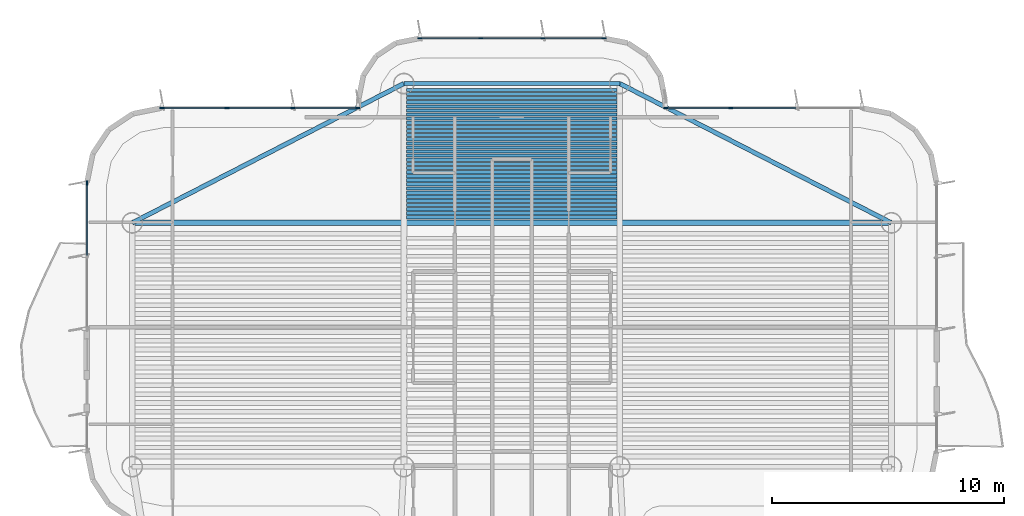
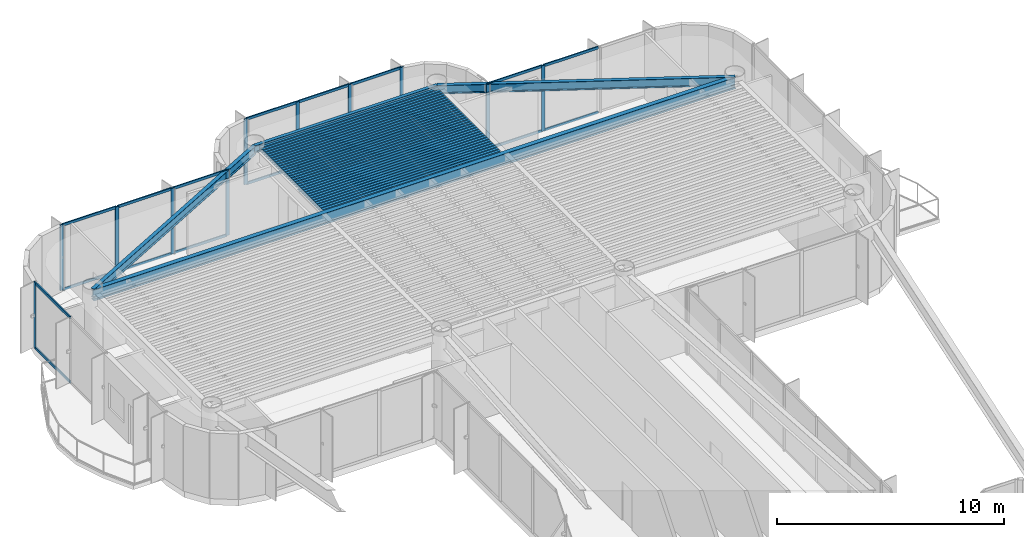
# One storey, part 7 of 16: 36 beams, 29 members, 4 elements without a shape of their own.
"""IFC4 building model written with IfcOpenShell, lengths in metres."""

from ifc_helpers import new_model, si_unit, direction, frame, origin, origin_2d, place, context, subcontext, project, spatial, rectangle, i_section, extrude, source, transform, mapped, material, layer, layer_set, material_profile, profile_set, type_object, element, aggregate, save


model = new_model("IFC4")

# Units and contexts
model_context = context("Model", 3, precision=1e-05, world=origin(), true_north=direction((0.0, 1.0)))
body_context = subcontext(model_context, "Body", "Model", "MODEL_VIEW")
ifc_project = project(units=[si_unit("LENGTHUNIT", "METRE"), si_unit("AREAUNIT", "SQUARE_METRE"), si_unit("VOLUMEUNIT", "CUBIC_METRE"), si_unit("PLANEANGLEUNIT", "RADIAN"), si_unit("MASSUNIT", "GRAM", prefix="KILO")], contexts=[model_context])

# Site, building, storey
site_placement = place(None, origin())
site = spatial("IfcSite", under=ifc_project, at=site_placement, CompositionType="ELEMENT")
building_placement = place(site_placement, origin())
building = spatial("IfcBuilding", under=site, at=building_placement, Name="Brelvock Crest Care Tower", CompositionType="ELEMENT")
storey_placement = place(building_placement, frame((0.0, 0.0, 223.02001953125)))
storey = spatial("IfcBuildingStorey", under=building, at=storey_placement, Name="L56", CompositionType="ELEMENT", Elevation=223.02001953125)

# Beams
ifc_material_1 = material(Name="Steel Grade 350", Category="steel")
ifc_material_profile_1 = material_profile(ifc_material_1, i_section(OverallWidth=0.177978515625, OverallDepth=0.406005859375, WebThickness=0.0078125, FlangeThickness=0.0126953125, FilletRadius=0.011474609375, at=origin_2d()), Name="410UB59.7")
ifc_profile_set_1 = profile_set([ifc_material_profile_1], Name="Steel Grade 350")
beam_type_1 = type_object("IfcBeamType", Name="BM-SP1", PredefinedType="SPANDREL", material=ifc_profile_set_1)
shared_shape_1 = source(origin(), body_context, "Body", "SweptSolid", [
    extrude(i_section(OverallWidth=0.177978515625, OverallDepth=0.406005859375, WebThickness=0.0078125, FlangeThickness=0.0126953125, FilletRadius=0.011474609375, at=origin_2d()), origin(), (0.0, 0.0, 1.0), 9.2998046875),
])
beam_1_placement = place(storey_placement, frame((31.35009765625, 60.449951171875, 3.326904296875), z_axis=(1.0, 0.0, 0.0), x_axis=(0.0, 1.0, 0.0)))
element("IfcBeam", 1, at=beam_1_placement, inside=storey, type_object=beam_type_1, Name="BM-TWR-L56-08", PredefinedType="SPANDREL", context=body_context, shape_type="MappedRepresentation", body=[
    mapped(shared_shape_1, transform((0.0, 0.0, 0.0), x_axis=(1.0, 0.0, 0.0), y_axis=(0.0, 1.0, 0.0), z_axis=(0.0, 0.0, 1.0), scale=1.0)),
])
ifc_material_profile_2 = material_profile(ifc_material_1, i_section(OverallWidth=0.14599609375, OverallDepth=0.256103515625, WebThickness=0.00634765625, FlangeThickness=0.010986328125, FilletRadius=0.0087890625, at=origin_2d()), Name="250UB37.3")
ifc_profile_set_2 = profile_set([ifc_material_profile_2], Name="Steel Grade 350")
beam_type_2 = type_object("IfcBeamType", Name="BM-J3", PredefinedType="JOIST", material=ifc_profile_set_2)
shared_shape_2 = source(origin(), body_context, "Body", "SweptSolid", [
    extrude(i_section(OverallWidth=0.14599609375, OverallDepth=0.256103515625, WebThickness=0.00634765625, FlangeThickness=0.010986328125, FilletRadius=0.0087890625, at=origin_2d()), origin(), (0.0, 0.0, 1.0), 9.06982421875),
])
for number, where, z_axis, x_axis, name in (
    (2, (31.465087890625, 54.68994140625, 3.402099609375), (1.0, 0.0, 0.0), (0.0, 1.0, 0.0), "BM-JN-L56-1"),
    (3, (31.465087890625, 54.866943359375, 3.402099609375), (1.0, 0.0, 0.0), (0.0, 1.0, 0.0), "BM-JN-L56-2"),
    (4, (31.465087890625, 55.0439453125, 3.402099609375), (1.0, 0.0, 0.0), (0.0, 1.0, 0.0), "BM-JN-L56-3"),
    (5, (31.465087890625, 55.220947265625, 3.402099609375), (1.0, 0.0, 0.0), (0.0, 1.0, 0.0), "BM-JN-L56-4"),
    (6, (31.465087890625, 55.39794921875, 3.402099609375), (1.0, 0.0, 0.0), (0.0, 1.0, 0.0), "BM-JN-L56-5"),
    (7, (31.465087890625, 55.574951171875, 3.402099609375), (1.0, 0.0, 0.0), (0.0, 1.0, 0.0), "BM-JN-L56-6"),
    (8, (31.465087890625, 55.751953125, 3.402099609375), (1.0, 0.0, 0.0), (0.0, 1.0, 0.0), "BM-JN-L56-7"),
    (9, (31.465087890625, 55.928955078125, 3.402099609375), (1.0, 0.0, 0.0), (0.0, 1.0, 0.0), "BM-JN-L56-8"),
    (10, (31.465087890625, 56.10595703125, 3.402099609375), (1.0, 0.0, 0.0), (0.0, 1.0, 0.0), "BM-JN-L56-9"),
    (11, (31.465087890625, 56.282958984375, 3.402099609375), (1.0, 0.0, 0.0), (0.0, 1.0, 0.0), "BM-JN-L56-10"),
    (12, (31.465087890625, 56.4599609375, 3.402099609375), (1.0, 0.0, 0.0), (0.0, 1.0, 0.0), "BM-JN-L56-11"),
    (13, (31.465087890625, 56.636962890625, 3.402099609375), (1.0, 0.0, 0.0), (0.0, 1.0, 0.0), "BM-JN-L56-12"),
    (14, (31.465087890625, 56.81396484375, 3.402099609375), (1.0, 0.0, 0.0), (0.0, 1.0, 0.0), "BM-JN-L56-13"),
):
    element("IfcBeam", number, at=place(storey_placement, frame(where, z_axis=z_axis, x_axis=x_axis)), inside=storey, type_object=beam_type_2, Name=name, PredefinedType="JOIST", context=body_context, shape_type="MappedRepresentation", body=[
        mapped(shared_shape_2, transform((0.0, 0.0, 0.0), x_axis=(1.0, 0.0, 0.0), y_axis=(0.0, 1.0, 0.0), z_axis=(0.0, 0.0, 1.0), scale=1.0)),
    ])
ifc_material_profile_3 = material_profile(ifc_material_1, i_section(OverallWidth=0.134033203125, OverallDepth=0.20703125, WebThickness=0.00634765625, FlangeThickness=0.009521484375, FilletRadius=0.0087890625, at=origin_2d()), Name="200UB29.8")
ifc_profile_set_3 = profile_set([ifc_material_profile_3], Name="Steel Grade 350")
beam_type_3 = type_object("IfcBeamType", Name="BM-J4", PredefinedType="JOIST", material=ifc_profile_set_3)
shared_shape_3 = source(origin(), body_context, "Body", "SweptSolid", [
    extrude(i_section(OverallWidth=0.134033203125, OverallDepth=0.20703125, WebThickness=0.00634765625, FlangeThickness=0.009521484375, FilletRadius=0.0087890625, at=origin_2d()), origin(), (0.0, 0.0, 1.0), 9.06982421875),
])
for number, where, z_axis, x_axis, name in (
    (15, (31.465087890625, 56.990966796875, 3.426513671875), (1.0, 0.0, 0.0), (0.0, 1.0, 0.0), "BM-JN-L56-14"),
    (16, (31.465087890625, 57.16796875, 3.426513671875), (1.0, 0.0, 0.0), (0.0, 1.0, 0.0), "BM-JN-L56-15"),
    (17, (31.465087890625, 57.344970703125, 3.426513671875), (1.0, 0.0, 0.0), (0.0, 1.0, 0.0), "BM-JN-L56-16"),
    (18, (31.465087890625, 57.52197265625, 3.426513671875), (1.0, 0.0, 0.0), (0.0, 1.0, 0.0), "BM-JN-L56-17"),
    (19, (31.465087890625, 57.698974609375, 3.426513671875), (1.0, 0.0, 0.0), (0.0, 1.0, 0.0), "BM-JN-L56-18"),
    (20, (31.465087890625, 57.8759765625, 3.426513671875), (1.0, 0.0, 0.0), (0.0, 1.0, 0.0), "BM-JN-L56-19"),
    (21, (31.465087890625, 58.052978515625, 3.426513671875), (1.0, 0.0, 0.0), (0.0, 1.0, 0.0), "BM-JN-L56-20"),
    (22, (31.465087890625, 58.22998046875, 3.426513671875), (1.0, 0.0, 0.0), (0.0, 1.0, 0.0), "BM-JN-L56-21"),
    (23, (31.465087890625, 58.406982421875, 3.426513671875), (1.0, 0.0, 0.0), (0.0, 1.0, 0.0), "BM-JN-L56-22"),
    (24, (31.465087890625, 58.583984375, 3.426513671875), (1.0, 0.0, 0.0), (0.0, 1.0, 0.0), "BM-JN-L56-23"),
    (25, (31.465087890625, 58.760986328125, 3.426513671875), (1.0, 0.0, 0.0), (0.0, 1.0, 0.0), "BM-JN-L56-24"),
    (26, (31.465087890625, 58.93798828125, 3.426513671875), (1.0, 0.0, 0.0), (0.0, 1.0, 0.0), "BM-JN-L56-25"),
    (27, (31.465087890625, 59.114990234375, 3.426513671875), (1.0, 0.0, 0.0), (0.0, 1.0, 0.0), "BM-JN-L56-26"),
    (28, (31.465087890625, 59.2919921875, 3.426513671875), (1.0, 0.0, 0.0), (0.0, 1.0, 0.0), "BM-JN-L56-27"),
    (29, (31.465087890625, 59.468994140625, 3.426513671875), (1.0, 0.0, 0.0), (0.0, 1.0, 0.0), "BM-JN-L56-28"),
    (30, (31.465087890625, 59.64599609375, 3.426513671875), (1.0, 0.0, 0.0), (0.0, 1.0, 0.0), "BM-JN-L56-29"),
    (31, (31.465087890625, 59.822998046875, 3.426513671875), (1.0, 0.0, 0.0), (0.0, 1.0, 0.0), "BM-JN-L56-30"),
    (32, (31.465087890625, 60.0, 3.426513671875), (1.0, 0.0, 0.0), (0.0, 1.0, 0.0), "BM-JN-L56-31"),
    (33, (31.465087890625, 60.177001953125, 3.426513671875), (1.0, 0.0, 0.0), (0.0, 1.0, 0.0), "BM-JN-L56-32"),
):
    element("IfcBeam", number, at=place(storey_placement, frame(where, z_axis=z_axis, x_axis=x_axis)), inside=storey, type_object=beam_type_3, Name=name, PredefinedType="JOIST", context=body_context, shape_type="MappedRepresentation", body=[
        mapped(shared_shape_3, transform((0.0, 0.0, 0.0), x_axis=(1.0, 0.0, 0.0), y_axis=(0.0, 1.0, 0.0), z_axis=(0.0, 0.0, 1.0), scale=1.0)),
    ])
ifc_material_profile_4 = material_profile(ifc_material_1, i_section(OverallWidth=0.19091796875, OverallDepth=0.4599609375, WebThickness=0.010009765625, FlangeThickness=0.01611328125, FilletRadius=0.011474609375, at=origin_2d()), Name="460UB82.1")
ifc_profile_set_4 = profile_set([ifc_material_profile_4], Name="Steel Grade 350")
beam_type_4 = type_object("IfcBeamType", Name="BM-SP2", PredefinedType="SPANDREL", material=ifc_profile_set_4)
shared_shape_4 = source(origin(), body_context, "Body", "SweptSolid", [
    extrude(i_section(OverallWidth=0.19091796875, OverallDepth=0.4599609375, WebThickness=0.010009765625, FlangeThickness=0.01611328125, FilletRadius=0.011474609375, at=origin_2d()), origin(), (0.0, 0.0, 1.0), 13.14892578125),
])
for number, where, z_axis, x_axis, name in (
    (34, (19.64990234375, 54.449951171875, 3.300048828125), (0.889820555736, 0.456310616346, 0.0), (-0.456310616346, 0.889820555736, 0.0), "BM-TWR-L56-06"),
    (35, (40.64990234375, 60.449951171875, 3.300048828125), (0.889820555736, -0.456310616346, 0.0), (0.456310616346, 0.889820555736, 0.0), "BM-TWR-L56-07"),
):
    element("IfcBeam", number, at=place(storey_placement, frame(where, z_axis=z_axis, x_axis=x_axis)), inside=storey, type_object=beam_type_4, Name=name, PredefinedType="SPANDREL", context=body_context, shape_type="MappedRepresentation", body=[
        mapped(shared_shape_4, transform((0.0, 0.0, 0.0), x_axis=(1.0, 0.0, 0.0), y_axis=(0.0, 1.0, 0.0), z_axis=(0.0, 0.0, 1.0), scale=1.0)),
    ])
ifc_material_profile_5 = material_profile(ifc_material_1, i_section(OverallWidth=0.22900390625, OverallDepth=0.612060546875, WebThickness=0.011962890625, FlangeThickness=0.01953125, FilletRadius=0.013916015625, at=origin_2d()), Name="610UB125")
ifc_profile_set_5 = profile_set([ifc_material_profile_5], Name="Steel Grade 350")
beam_type_5 = type_object("IfcBeamType", Name="BM-G1", PredefinedType="BEAM", material=ifc_profile_set_5)
shared_shape_5 = source(origin(), body_context, "Body", "SweptSolid", [
    extrude(i_section(OverallWidth=0.22900390625, OverallDepth=0.612060546875, WebThickness=0.011962890625, FlangeThickness=0.01953125, FilletRadius=0.013916015625, at=origin_2d()), origin(), (0.0, 0.0, 1.0), 32.7001953125),
])
beam_2_placement = place(storey_placement, frame((19.64990234375, 54.449951171875, 3.223876953125), z_axis=(1.0, 0.0, 0.0), x_axis=(0.0, 1.0, 0.0)))
element("IfcBeam", 36, at=beam_2_placement, inside=storey, type_object=beam_type_5, Name="BM-TWR-L56-11", PredefinedType="BEAM", context=body_context, shape_type="MappedRepresentation", body=[
    mapped(shared_shape_5, transform((0.0, 0.0, 0.0), x_axis=(1.0, 0.0, 0.0), y_axis=(0.0, 1.0, 0.0), z_axis=(0.0, 0.0, 1.0), scale=1.0)),
])

# Curtain wall, member
ifc_material_2 = material(Name="Dark Glass Double Glazed Low-E", Category="glass")
ifc_layer = layer(ifc_material_2, 0.239990234375, Name="CWS-5")
ifc_layer_set = layer_set([ifc_layer], Name="Dark Glass Double Glazed Low-E")
curtain_wall_type = type_object("IfcCurtainWallType", Name="CWS-5", PredefinedType="NOTDEFINED", material=ifc_layer_set)
curtain_wall_1_placement = place(storey_placement, origin())
curtain_wall_1 = element("IfcCurtainWall", 37, at=curtain_wall_1_placement, inside=storey, type_object=curtain_wall_type, Name="L56 Curtain Wall E17B", PredefinedType="NOTDEFINED")
ifc_material_3 = material(Name="Aluminium 6063-T6", Category="aluminium")
ifc_material_profile_6 = material_profile(ifc_material_3, rectangle(XDim=0.06005859375, YDim=0.179931640625, at=origin_2d()), Name="ALU60x180")
ifc_profile_set_6 = profile_set([ifc_material_profile_6], Name="Aluminium 6063-T6")
member_type_1 = type_object("IfcMemberType", Name="CWM-2", PredefinedType="MULLION", material=ifc_profile_set_6)
shared_shape_6 = source(origin(), body_context, "Body", "SweptSolid", [
    extrude(rectangle(XDim=0.06005859375, YDim=0.179931640625, at=origin_2d()), origin(), (0.0, 0.0, 1.0), 3.530029296875),
])
member_1_placement = place(storey_placement, frame((17.699951171875, 56.169921875, 0.0), z_axis=(0.0, 0.0, 1.0), x_axis=(-1.0, 0.0, 0.0)))
member_1 = element("IfcMember", 38, at=member_1_placement, type_object=member_type_1, Name="CW-5 mullion 3", PredefinedType="MULLION", context=body_context, shape_type="MappedRepresentation", body=[
    mapped(shared_shape_6, transform((0.0, 0.0, 0.0), x_axis=(1.0, 0.0, 0.0), y_axis=(0.0, 1.0, 0.0), z_axis=(0.0, 0.0, 1.0), scale=1.0)),
])

# Curtain wall, members
curtain_wall_2_placement = place(storey_placement, origin())
curtain_wall_2 = element("IfcCurtainWall", 39, at=curtain_wall_2_placement, inside=storey, type_object=curtain_wall_type, Name="L56 Curtain Wall E22", PredefinedType="NOTDEFINED")
member_2_placement = place(storey_placement, frame((20.929931640625, 59.39990234375, 0.0), z_axis=(0.0, 0.0, 1.0), x_axis=(0.0, 1.0, 0.0)))
member_2 = element("IfcMember", 40, at=member_2_placement, type_object=member_type_1, Name="CW-5 mullion 1", PredefinedType="MULLION", context=body_context, shape_type="MappedRepresentation", body=[
    mapped(shared_shape_6, transform((0.0, 0.0, 0.0), x_axis=(1.0, 0.0, 0.0), y_axis=(0.0, 1.0, 0.0), z_axis=(0.0, 0.0, 1.0), scale=1.0)),
])
member_3_placement = place(storey_placement, frame((23.7333984375, 59.39990234375, 0.0), z_axis=(0.0, 0.0, 1.0), x_axis=(0.0, 1.0, 0.0)))
member_3 = element("IfcMember", 41, at=member_3_placement, type_object=member_type_1, Name="CW-5 mullion 2", PredefinedType="MULLION", context=body_context, shape_type="MappedRepresentation", body=[
    mapped(shared_shape_6, transform((0.0, 0.0, 0.0), x_axis=(1.0, 0.0, 0.0), y_axis=(0.0, 1.0, 0.0), z_axis=(0.0, 0.0, 1.0), scale=1.0)),
])
member_4_placement = place(storey_placement, frame((26.566650390625, 59.39990234375, 0.0), z_axis=(0.0, 0.0, 1.0), x_axis=(0.0, 1.0, 0.0)))
member_4 = element("IfcMember", 42, at=member_4_placement, type_object=member_type_1, Name="CW-5 mullion 3", PredefinedType="MULLION", context=body_context, shape_type="MappedRepresentation", body=[
    mapped(shared_shape_6, transform((0.0, 0.0, 0.0), x_axis=(1.0, 0.0, 0.0), y_axis=(0.0, 1.0, 0.0), z_axis=(0.0, 0.0, 1.0), scale=1.0)),
])
member_5_placement = place(storey_placement, frame((29.3701171875, 59.39990234375, 0.0), z_axis=(0.0, 0.0, 1.0), x_axis=(0.0, 1.0, 0.0)))
member_5 = element("IfcMember", 43, at=member_5_placement, type_object=member_type_1, Name="CW-5 mullion 4", PredefinedType="MULLION", context=body_context, shape_type="MappedRepresentation", body=[
    mapped(shared_shape_6, transform((0.0, 0.0, 0.0), x_axis=(1.0, 0.0, 0.0), y_axis=(0.0, 1.0, 0.0), z_axis=(0.0, 0.0, 1.0), scale=1.0)),
])

curtain_wall_3_placement = place(storey_placement, origin())
curtain_wall_3 = element("IfcCurtainWall", 44, at=curtain_wall_3_placement, inside=storey, type_object=curtain_wall_type, Name="L56 Curtain Wall E28", PredefinedType="NOTDEFINED")
member_6_placement = place(storey_placement, frame((32.030029296875, 62.39990234375, 0.0), z_axis=(0.0, 0.0, 1.0), x_axis=(0.0, 1.0, 0.0)))
member_6 = element("IfcMember", 45, at=member_6_placement, type_object=member_type_1, Name="CW-5 mullion 1", PredefinedType="MULLION", context=body_context, shape_type="MappedRepresentation", body=[
    mapped(shared_shape_6, transform((0.0, 0.0, 0.0), x_axis=(1.0, 0.0, 0.0), y_axis=(0.0, 1.0, 0.0), z_axis=(0.0, 0.0, 1.0), scale=1.0)),
])
member_7_placement = place(storey_placement, frame((34.666748046875, 62.39990234375, 0.0), z_axis=(0.0, 0.0, 1.0), x_axis=(0.0, 1.0, 0.0)))
member_7 = element("IfcMember", 46, at=member_7_placement, type_object=member_type_1, Name="CW-5 mullion 2", PredefinedType="MULLION", context=body_context, shape_type="MappedRepresentation", body=[
    mapped(shared_shape_6, transform((0.0, 0.0, 0.0), x_axis=(1.0, 0.0, 0.0), y_axis=(0.0, 1.0, 0.0), z_axis=(0.0, 0.0, 1.0), scale=1.0)),
])
member_8_placement = place(storey_placement, frame((37.333251953125, 62.39990234375, 0.0), z_axis=(0.0, 0.0, 1.0), x_axis=(0.0, 1.0, 0.0)))
member_8 = element("IfcMember", 47, at=member_8_placement, type_object=member_type_1, Name="CW-5 mullion 3", PredefinedType="MULLION", context=body_context, shape_type="MappedRepresentation", body=[
    mapped(shared_shape_6, transform((0.0, 0.0, 0.0), x_axis=(1.0, 0.0, 0.0), y_axis=(0.0, 1.0, 0.0), z_axis=(0.0, 0.0, 1.0), scale=1.0)),
])
member_9_placement = place(storey_placement, frame((39.969970703125, 62.39990234375, 0.0), z_axis=(0.0, 0.0, 1.0), x_axis=(0.0, 1.0, 0.0)))
member_9 = element("IfcMember", 48, at=member_9_placement, type_object=member_type_1, Name="CW-5 mullion 4", PredefinedType="MULLION", context=body_context, shape_type="MappedRepresentation", body=[
    mapped(shared_shape_6, transform((0.0, 0.0, 0.0), x_axis=(1.0, 0.0, 0.0), y_axis=(0.0, 1.0, 0.0), z_axis=(0.0, 0.0, 1.0), scale=1.0)),
])

curtain_wall_4_placement = place(storey_placement, origin())
curtain_wall_4 = element("IfcCurtainWall", 49, at=curtain_wall_4_placement, inside=storey, type_object=curtain_wall_type, Name="L56 Curtain Wall E34", PredefinedType="NOTDEFINED")
member_10_placement = place(storey_placement, frame((42.6298828125, 59.39990234375, 0.0), z_axis=(0.0, 0.0, 1.0), x_axis=(0.0, 1.0, 0.0)))
member_10 = element("IfcMember", 50, at=member_10_placement, type_object=member_type_1, Name="CW-5 mullion 1", PredefinedType="MULLION", context=body_context, shape_type="MappedRepresentation", body=[
    mapped(shared_shape_6, transform((0.0, 0.0, 0.0), x_axis=(1.0, 0.0, 0.0), y_axis=(0.0, 1.0, 0.0), z_axis=(0.0, 0.0, 1.0), scale=1.0)),
])
member_11_placement = place(storey_placement, frame((45.433349609375, 59.39990234375, 0.0), z_axis=(0.0, 0.0, 1.0), x_axis=(0.0, 1.0, 0.0)))
member_11 = element("IfcMember", 51, at=member_11_placement, type_object=member_type_1, Name="CW-5 mullion 2", PredefinedType="MULLION", context=body_context, shape_type="MappedRepresentation", body=[
    mapped(shared_shape_6, transform((0.0, 0.0, 0.0), x_axis=(1.0, 0.0, 0.0), y_axis=(0.0, 1.0, 0.0), z_axis=(0.0, 0.0, 1.0), scale=1.0)),
])

# Member
ifc_material_profile_7 = material_profile(ifc_material_3, rectangle(XDim=0.06005859375, YDim=0.139892578125, at=origin_2d()), Name="ALU60x140")
ifc_profile_set_7 = profile_set([ifc_material_profile_7], Name="Aluminium 6063-T6")
member_type_2 = type_object("IfcMemberType", Name="CWT-2", PredefinedType="USERDEFINED", material=ifc_profile_set_7)
shared_shape_7 = source(origin(), body_context, "Body", "SweptSolid", [
    extrude(rectangle(XDim=0.06005859375, YDim=0.139892578125, at=origin_2d()), origin(), (0.0, 0.0, 1.0), 2.57666015625),
])
member_12_placement = place(storey_placement, frame((32.06005859375, 62.39990234375, 0.030029296875), z_axis=(1.0, 0.0, 0.0), x_axis=(0.0, 1.0, 0.0)))
member_12 = element("IfcMember", 52, at=member_12_placement, type_object=member_type_2, Name="CW-5 transom 1.1", ObjectType="TRANSOM", PredefinedType="USERDEFINED", context=body_context, shape_type="MappedRepresentation", body=[
    mapped(shared_shape_7, transform((0.0, 0.0, 0.0), x_axis=(1.0, 0.0, 0.0), y_axis=(0.0, 1.0, 0.0), z_axis=(0.0, 0.0, 1.0), scale=1.0)),
])

member_13_placement = place(storey_placement, frame((32.06005859375, 62.39990234375, 3.5), z_axis=(1.0, 0.0, 0.0), x_axis=(0.0, 1.0, 0.0)))
member_13 = element("IfcMember", 53, at=member_13_placement, type_object=member_type_2, Name="CW-5 transom 1.2", ObjectType="TRANSOM", PredefinedType="USERDEFINED", context=body_context, shape_type="MappedRepresentation", body=[
    mapped(shared_shape_7, transform((0.0, 0.0, 0.0), x_axis=(1.0, 0.0, 0.0), y_axis=(0.0, 1.0, 0.0), z_axis=(0.0, 0.0, 1.0), scale=1.0)),
])

member_14_placement = place(storey_placement, frame((37.36328125, 62.39990234375, 0.030029296875), z_axis=(1.0, 0.0, 0.0), x_axis=(0.0, 1.0, 0.0)))
member_14 = element("IfcMember", 54, at=member_14_placement, type_object=member_type_2, Name="CW-5 transom 3.1", ObjectType="TRANSOM", PredefinedType="USERDEFINED", context=body_context, shape_type="MappedRepresentation", body=[
    mapped(shared_shape_7, transform((0.0, 0.0, 0.0), x_axis=(1.0, 0.0, 0.0), y_axis=(0.0, 1.0, 0.0), z_axis=(0.0, 0.0, 1.0), scale=1.0)),
])

member_15_placement = place(storey_placement, frame((37.36328125, 62.39990234375, 3.5), z_axis=(1.0, 0.0, 0.0), x_axis=(0.0, 1.0, 0.0)))
member_15 = element("IfcMember", 55, at=member_15_placement, type_object=member_type_2, Name="CW-5 transom 3.2", ObjectType="TRANSOM", PredefinedType="USERDEFINED", context=body_context, shape_type="MappedRepresentation", body=[
    mapped(shared_shape_7, transform((0.0, 0.0, 0.0), x_axis=(1.0, 0.0, 0.0), y_axis=(0.0, 1.0, 0.0), z_axis=(0.0, 0.0, 1.0), scale=1.0)),
])

shared_shape_8 = source(origin(), body_context, "Body", "SweptSolid", [
    extrude(rectangle(XDim=0.06005859375, YDim=0.139892578125, at=origin_2d()), origin(), (0.0, 0.0, 1.0), 3.0849609375),
])
member_16_placement = place(storey_placement, frame((17.699951171875, 53.054931640625, 0.030029296875), z_axis=(0.0, 1.0, 0.0), x_axis=(-1.0, 0.0, 0.0)))
member_16 = element("IfcMember", 56, at=member_16_placement, type_object=member_type_2, Name="CW-5 transom 2.1", ObjectType="TRANSOM", PredefinedType="USERDEFINED", context=body_context, shape_type="MappedRepresentation", body=[
    mapped(shared_shape_8, transform((0.0, 0.0, 0.0), x_axis=(1.0, 0.0, 0.0), y_axis=(0.0, 1.0, 0.0), z_axis=(0.0, 0.0, 1.0), scale=1.0)),
])

member_17_placement = place(storey_placement, frame((17.699951171875, 53.054931640625, 3.5), z_axis=(0.0, 1.0, 0.0), x_axis=(-1.0, 0.0, 0.0)))
member_17 = element("IfcMember", 57, at=member_17_placement, type_object=member_type_2, Name="CW-5 transom 2.2", ObjectType="TRANSOM", PredefinedType="USERDEFINED", context=body_context, shape_type="MappedRepresentation", body=[
    mapped(shared_shape_8, transform((0.0, 0.0, 0.0), x_axis=(1.0, 0.0, 0.0), y_axis=(0.0, 1.0, 0.0), z_axis=(0.0, 0.0, 1.0), scale=1.0)),
])

aggregate(curtain_wall_1, [member_1, member_16, member_17])

shared_shape_9 = source(origin(), body_context, "Body", "SweptSolid", [
    extrude(rectangle(XDim=0.06005859375, YDim=0.139892578125, at=origin_2d()), origin(), (0.0, 0.0, 1.0), 2.743408203125),
])
member_18_placement = place(storey_placement, frame((20.9599609375, 59.39990234375, 0.030029296875), z_axis=(1.0, 0.0, 0.0), x_axis=(0.0, 1.0, 0.0)))
member_18 = element("IfcMember", 58, at=member_18_placement, type_object=member_type_2, Name="CW-5 transom 1.1", ObjectType="TRANSOM", PredefinedType="USERDEFINED", context=body_context, shape_type="MappedRepresentation", body=[
    mapped(shared_shape_9, transform((0.0, 0.0, 0.0), x_axis=(1.0, 0.0, 0.0), y_axis=(0.0, 1.0, 0.0), z_axis=(0.0, 0.0, 1.0), scale=1.0)),
])

member_19_placement = place(storey_placement, frame((20.9599609375, 59.39990234375, 3.5), z_axis=(1.0, 0.0, 0.0), x_axis=(0.0, 1.0, 0.0)))
member_19 = element("IfcMember", 59, at=member_19_placement, type_object=member_type_2, Name="CW-5 transom 1.2", ObjectType="TRANSOM", PredefinedType="USERDEFINED", context=body_context, shape_type="MappedRepresentation", body=[
    mapped(shared_shape_9, transform((0.0, 0.0, 0.0), x_axis=(1.0, 0.0, 0.0), y_axis=(0.0, 1.0, 0.0), z_axis=(0.0, 0.0, 1.0), scale=1.0)),
])

member_20_placement = place(storey_placement, frame((26.5966796875, 59.39990234375, 0.030029296875), z_axis=(1.0, 0.0, 0.0), x_axis=(0.0, 1.0, 0.0)))
member_20 = element("IfcMember", 60, at=member_20_placement, type_object=member_type_2, Name="CW-5 transom 3.1", ObjectType="TRANSOM", PredefinedType="USERDEFINED", context=body_context, shape_type="MappedRepresentation", body=[
    mapped(shared_shape_9, transform((0.0, 0.0, 0.0), x_axis=(1.0, 0.0, 0.0), y_axis=(0.0, 1.0, 0.0), z_axis=(0.0, 0.0, 1.0), scale=1.0)),
])

member_21_placement = place(storey_placement, frame((26.5966796875, 59.39990234375, 3.5), z_axis=(1.0, 0.0, 0.0), x_axis=(0.0, 1.0, 0.0)))
member_21 = element("IfcMember", 61, at=member_21_placement, type_object=member_type_2, Name="CW-5 transom 3.2", ObjectType="TRANSOM", PredefinedType="USERDEFINED", context=body_context, shape_type="MappedRepresentation", body=[
    mapped(shared_shape_9, transform((0.0, 0.0, 0.0), x_axis=(1.0, 0.0, 0.0), y_axis=(0.0, 1.0, 0.0), z_axis=(0.0, 0.0, 1.0), scale=1.0)),
])

member_22_placement = place(storey_placement, frame((42.659912109375, 59.39990234375, 0.030029296875), z_axis=(1.0, 0.0, 0.0), x_axis=(0.0, 1.0, 0.0)))
member_22 = element("IfcMember", 62, at=member_22_placement, type_object=member_type_2, Name="CW-5 transom 1.1", ObjectType="TRANSOM", PredefinedType="USERDEFINED", context=body_context, shape_type="MappedRepresentation", body=[
    mapped(shared_shape_9, transform((0.0, 0.0, 0.0), x_axis=(1.0, 0.0, 0.0), y_axis=(0.0, 1.0, 0.0), z_axis=(0.0, 0.0, 1.0), scale=1.0)),
])

member_23_placement = place(storey_placement, frame((42.659912109375, 59.39990234375, 3.5), z_axis=(1.0, 0.0, 0.0), x_axis=(0.0, 1.0, 0.0)))
member_23 = element("IfcMember", 63, at=member_23_placement, type_object=member_type_2, Name="CW-5 transom 1.2", ObjectType="TRANSOM", PredefinedType="USERDEFINED", context=body_context, shape_type="MappedRepresentation", body=[
    mapped(shared_shape_9, transform((0.0, 0.0, 0.0), x_axis=(1.0, 0.0, 0.0), y_axis=(0.0, 1.0, 0.0), z_axis=(0.0, 0.0, 1.0), scale=1.0)),
])

shared_shape_10 = source(origin(), body_context, "Body", "SweptSolid", [
    extrude(rectangle(XDim=0.06005859375, YDim=0.139892578125, at=origin_2d()), origin(), (0.0, 0.0, 1.0), 2.773193359375),
])
member_24_placement = place(storey_placement, frame((23.763427734375, 59.39990234375, 0.030029296875), z_axis=(1.0, 0.0, 0.0), x_axis=(0.0, 1.0, 0.0)))
member_24 = element("IfcMember", 64, at=member_24_placement, type_object=member_type_2, Name="CW-5 transom 2.1", ObjectType="TRANSOM", PredefinedType="USERDEFINED", context=body_context, shape_type="MappedRepresentation", body=[
    mapped(shared_shape_10, transform((0.0, 0.0, 0.0), x_axis=(1.0, 0.0, 0.0), y_axis=(0.0, 1.0, 0.0), z_axis=(0.0, 0.0, 1.0), scale=1.0)),
])

member_25_placement = place(storey_placement, frame((23.763427734375, 59.39990234375, 3.5), z_axis=(1.0, 0.0, 0.0), x_axis=(0.0, 1.0, 0.0)))
member_25 = element("IfcMember", 65, at=member_25_placement, type_object=member_type_2, Name="CW-5 transom 2.2", ObjectType="TRANSOM", PredefinedType="USERDEFINED", context=body_context, shape_type="MappedRepresentation", body=[
    mapped(shared_shape_10, transform((0.0, 0.0, 0.0), x_axis=(1.0, 0.0, 0.0), y_axis=(0.0, 1.0, 0.0), z_axis=(0.0, 0.0, 1.0), scale=1.0)),
])

aggregate(curtain_wall_2, [member_2, member_3, member_4, member_5, member_18, member_19, member_24, member_25, member_20, member_21])

member_26_placement = place(storey_placement, frame((45.46337890625, 59.39990234375, 0.030029296875), z_axis=(1.0, 0.0, 0.0), x_axis=(0.0, 1.0, 0.0)))
member_26 = element("IfcMember", 66, at=member_26_placement, type_object=member_type_2, Name="CW-5 transom 2.1", ObjectType="TRANSOM", PredefinedType="USERDEFINED", context=body_context, shape_type="MappedRepresentation", body=[
    mapped(shared_shape_10, transform((0.0, 0.0, 0.0), x_axis=(1.0, 0.0, 0.0), y_axis=(0.0, 1.0, 0.0), z_axis=(0.0, 0.0, 1.0), scale=1.0)),
])

member_27_placement = place(storey_placement, frame((45.46337890625, 59.39990234375, 3.5), z_axis=(1.0, 0.0, 0.0), x_axis=(0.0, 1.0, 0.0)))
member_27 = element("IfcMember", 67, at=member_27_placement, type_object=member_type_2, Name="CW-5 transom 2.2", ObjectType="TRANSOM", PredefinedType="USERDEFINED", context=body_context, shape_type="MappedRepresentation", body=[
    mapped(shared_shape_10, transform((0.0, 0.0, 0.0), x_axis=(1.0, 0.0, 0.0), y_axis=(0.0, 1.0, 0.0), z_axis=(0.0, 0.0, 1.0), scale=1.0)),
])

aggregate(curtain_wall_4, [member_10, member_11, member_22, member_23, member_26, member_27])

shared_shape_11 = source(origin(), body_context, "Body", "SweptSolid", [
    extrude(rectangle(XDim=0.06005859375, YDim=0.139892578125, at=origin_2d()), origin(), (0.0, 0.0, 1.0), 2.6064453125),
])
member_28_placement = place(storey_placement, frame((34.69677734375, 62.39990234375, 0.030029296875), z_axis=(1.0, 0.0, 0.0), x_axis=(0.0, 1.0, 0.0)))
member_28 = element("IfcMember", 68, at=member_28_placement, type_object=member_type_2, Name="CW-5 transom 2.1", ObjectType="TRANSOM", PredefinedType="USERDEFINED", context=body_context, shape_type="MappedRepresentation", body=[
    mapped(shared_shape_11, transform((0.0, 0.0, 0.0), x_axis=(1.0, 0.0, 0.0), y_axis=(0.0, 1.0, 0.0), z_axis=(0.0, 0.0, 1.0), scale=1.0)),
])

member_29_placement = place(storey_placement, frame((34.69677734375, 62.39990234375, 3.5), z_axis=(1.0, 0.0, 0.0), x_axis=(0.0, 1.0, 0.0)))
member_29 = element("IfcMember", 69, at=member_29_placement, type_object=member_type_2, Name="CW-5 transom 2.2", ObjectType="TRANSOM", PredefinedType="USERDEFINED", context=body_context, shape_type="MappedRepresentation", body=[
    mapped(shared_shape_11, transform((0.0, 0.0, 0.0), x_axis=(1.0, 0.0, 0.0), y_axis=(0.0, 1.0, 0.0), z_axis=(0.0, 0.0, 1.0), scale=1.0)),
])

aggregate(curtain_wall_3, [member_6, member_7, member_8, member_9, member_12, member_13, member_28, member_29, member_14, member_15])

save(model, "model.ifc")
